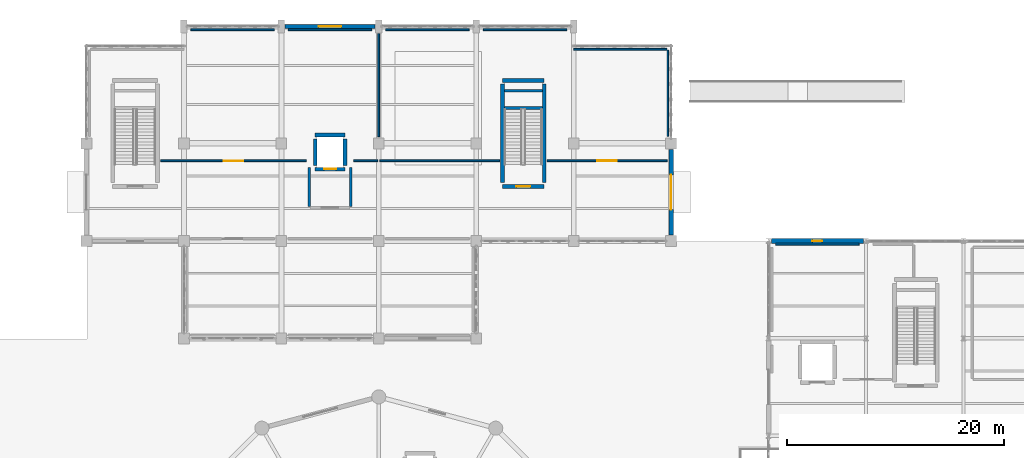
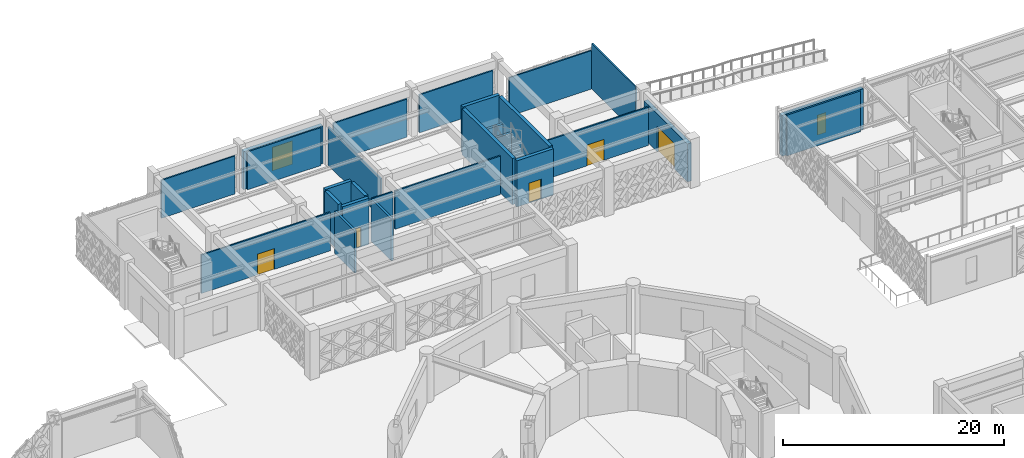
# One storey, part 120 of 140: 27 walls, 5 doors, 2 windows, 7 openings.
"""IFC4 building model written with IfcOpenShell, lengths in metres."""

import ifcopenshell
import ifcopenshell.guid

model = None  # the IFC model being written
_history = None  # IfcOwnerHistory: only IFC2X3 demands one
_inside = {}  # id of a spatial element -> (the spatial element, [elements in it])
_under = {}  # id of a project, library or spatial element -> (it, [spatial elements below it])
_declared = {}  # id of a project -> (the project, [libraries it declares])
_typed = {}  # id of a type object -> (the type object, [elements of that type])
_made_of = {}  # id of a material, layer set ... -> (it, [elements and type objects made of it])


def new_model(schema):
    """Start an empty IFC model of exactly this schema.

    Asked for "IFC4X3", IfcOpenShell would pick the latest addendum, in which some entities
    have other attributes; the version numbers below select the first issue.
    IFC2X3 requires an IfcOwnerHistory on every rooted entity: one is made here for all.
    """
    global model, _history
    if schema == "IFC4X3":
        model = ifcopenshell.file(schema_version=(4, 3, 0, 0))
    else:
        model = ifcopenshell.file(schema=schema)
    _inside.clear()
    _under.clear()
    _declared.clear()
    _typed.clear()
    _made_of.clear()
    _history = None
    if model.schema == "IFC2X3":
        org = make("IfcOrganization", Name="unknown")
        user = make(
            "IfcPersonAndOrganization",
            ThePerson=make("IfcPerson", FamilyName="unknown"),
            TheOrganization=org,
        )
        app = make(
            "IfcApplication",
            ApplicationDeveloper=org,
            Version="unknown",
            ApplicationFullName="unknown",
            ApplicationIdentifier="unknown",
        )
        _history = make(
            "IfcOwnerHistory",
            OwningUser=user,
            OwningApplication=app,
            ChangeAction="ADDED",
            CreationDate=0,
        )
    return model


def make(cls, **values):
    """One entity of the class cls with the attributes given. An attribute that is None is left unset."""
    return model.create_entity(
        cls, **{name: value for name, value in values.items() if value is not None}
    )


def rooted(cls, **values):
    """An entity with a GlobalId (a new one), such as an element, a storey or a relation."""
    return make(cls, GlobalId=ifcopenshell.guid.new(), OwnerHistory=_history, **values)


def si_unit(unit_type, name, prefix=None):
    """IfcSIUnit, for example si_unit("LENGTHUNIT", "METRE", prefix="MILLI")."""
    return make("IfcSIUnit", UnitType=unit_type, Prefix=prefix, Name=name)


def assignment(units):
    """IfcUnitAssignment: the units of a project."""
    return None if units is None else make("IfcUnitAssignment", Units=units)


def point(xyz):
    """IfcCartesianPoint."""
    return None if xyz is None else make("IfcCartesianPoint", Coordinates=xyz)


def direction(xyz):
    """IfcDirection."""
    return None if xyz is None else make("IfcDirection", DirectionRatios=xyz)


def frame(location, z_axis=None, x_axis=None):
    """IfcAxis2Placement3D, a coordinate frame: its origin and axes. An axis left out is left unset."""
    return make(
        "IfcAxis2Placement3D",
        Location=point(location),
        Axis=direction(z_axis),
        RefDirection=direction(x_axis),
    )


def frame_2d(location, x_axis=None):
    """IfcAxis2Placement2D, a coordinate frame in the plane: its origin and x axis."""
    return make(
        "IfcAxis2Placement2D", Location=point(location), RefDirection=direction(x_axis)
    )


def origin():
    """The frame at (0, 0, 0) with its axes left unset."""
    return frame((0.0, 0.0, 0.0))


def place(relative_to, where):
    """IfcLocalPlacement: puts the frame where relative to a parent placement (None: the world)."""
    return make(
        "IfcLocalPlacement", PlacementRelTo=relative_to, RelativePlacement=where
    )


def context(
    kind, dimensions, precision=None, world=None, true_north=None, identifier=None
):
    """IfcGeometricRepresentationContext, for example the 3D "Model" context."""
    return make(
        "IfcGeometricRepresentationContext",
        ContextIdentifier=identifier,
        ContextType=kind,
        CoordinateSpaceDimension=dimensions,
        Precision=precision,
        WorldCoordinateSystem=world,
        TrueNorth=true_north,
    )


def subcontext(parent, identifier, kind, view, scale=None):
    """IfcGeometricRepresentationSubContext, for example "Body" below "Model"."""
    return make(
        "IfcGeometricRepresentationSubContext",
        ContextIdentifier=identifier,
        ContextType=kind,
        ParentContext=parent,
        TargetScale=scale,
        TargetView=view,
    )


def project(units=None, contexts=None):
    """IfcProject with its units and contexts."""
    return rooted(
        "IfcProject",
        Name="project",
        RepresentationContexts=contexts,
        UnitsInContext=assignment(units),
    )


def spatial(cls, under=None, at=None, **own):
    """A site, building, storey or space (cls), placed at a placement, below another one or the project."""
    s = rooted(cls, ObjectPlacement=at, **own)
    if under is not None:
        _under.setdefault(under.id(), (under, []))[1].append(s)
    return s


def profile(cls, at=None, kind="AREA", **sizes):
    """A parametric profile (cls). Its sizes go by their IFC names, for example OverallWidth=200.0."""
    return make(cls, ProfileType=kind, Position=at, **sizes)


def rectangle(**sizes):
    """IfcRectangleProfileDef."""
    return profile("IfcRectangleProfileDef", **sizes)


def extrude(swept, where, along, depth):
    """IfcExtrudedAreaSolid: the profile swept, set in the frame where, extruded along a direction by depth."""
    return make(
        "IfcExtrudedAreaSolid",
        SweptArea=swept,
        Position=where,
        ExtrudedDirection=direction(along),
        Depth=depth,
    )


def shape(context_of_items, identifier, shape_type, items):
    """IfcShapeRepresentation: the items that make up one representation, for example the "Body"."""
    return make(
        "IfcShapeRepresentation",
        ContextOfItems=context_of_items,
        RepresentationIdentifier=identifier,
        RepresentationType=shape_type,
        Items=items,
    )


def material(Name=None, Category=None):
    """IfcMaterial."""
    return make("IfcMaterial", Name=Name, Category=Category)


def layer(
    of_material, thickness, ventilated=None, Name=None, Category=None, Priority=None
):
    """IfcMaterialLayer: one layer of a wall or slab, of a material (None: an air gap)."""
    return make(
        "IfcMaterialLayer",
        Material=of_material,
        LayerThickness=thickness,
        IsVentilated=ventilated,
        Name=Name,
        Category=Category,
        Priority=Priority,
    )


def layer_set(layers, Name=None):
    """IfcMaterialLayerSet."""
    return make("IfcMaterialLayerSet", MaterialLayers=layers, LayerSetName=Name)


def made_of(thing, what):
    """Note that an element or type object is made of a material, layer set ...; save() writes the relation."""
    if what is not None:
        _made_of.setdefault(what.id(), (what, []))[1].append(thing)
    return thing


def type_object(cls, material=None, **own):
    """A type object (cls), such as IfcWallType, which elements share."""
    return made_of(rooted(cls, **own), material)


def element(
    cls,
    number,
    at=None,
    inside=None,
    cuts=None,
    type_object=None,
    material=None,
    context=None,
    identifier="Body",
    shape_type=None,
    held_by="IfcProductDefinitionShape",
    body=None,
    shapes=None,
    **own,
):
    """One element of the class cls, such as IfcWall. Its Tag is "e" and its number.

    at: its placement. inside: the storey or other place that contains it. cuts: it is an
    opening in that element (IfcRelVoidsElement). A single representation is given by context,
    identifier, shape_type and body (its items); several are given by shapes. held_by: the class
    of the entity that holds the representations. save() writes the other relations.
    """
    e = rooted(cls, Tag="e%d" % number, ObjectPlacement=at, **own)
    if body is not None:
        shapes = [shape(context, identifier, shape_type, body)]
    if shapes is not None:
        e.Representation = make(held_by, Representations=shapes)
    if inside is not None:
        _inside.setdefault(inside.id(), (inside, []))[1].append(e)
    if cuts is not None:
        rooted(
            "IfcRelVoidsElement", RelatingBuildingElement=cuts, RelatedOpeningElement=e
        )
    if type_object is not None:
        _typed.setdefault(type_object.id(), (type_object, []))[1].append(e)
    return made_of(e, material)


def fill(opening, filler):
    """IfcRelFillsElement: the door or window that sits in an opening."""
    return rooted(
        "IfcRelFillsElement",
        RelatingOpeningElement=opening,
        RelatedBuildingElement=filler,
    )


def aggregate(whole, parts):
    """IfcRelAggregates: a whole, such as a stair, and the parts it consists of."""
    return rooted("IfcRelAggregates", RelatingObject=whole, RelatedObjects=parts)


def save(model, path):
    """Write the relations noted so far, then the file.

    IfcRelAggregates (storeys below a building ...), IfcRelContainedInSpatialStructure (elements
    in a storey), IfcRelDefinesByType, IfcRelAssociatesMaterial and IfcRelDeclares: one each for
    every whole, place, type object, material and project.
    """
    for whole, parts in _under.values():
        aggregate(whole, parts)
    for where, things in _inside.values():
        rooted(
            "IfcRelContainedInSpatialStructure",
            RelatedElements=things,
            RelatingStructure=where,
        )
    for kind, things in _typed.values():
        rooted("IfcRelDefinesByType", RelatedObjects=things, RelatingType=kind)
    for what, things in _made_of.values():
        rooted("IfcRelAssociatesMaterial", RelatedObjects=things, RelatingMaterial=what)
    for by, libraries in _declared.values():
        rooted("IfcRelDeclares", RelatingContext=by, RelatedDefinitions=libraries)
    model.write(path)


model = new_model("IFC4")

# Units and contexts
model_context = context("Model", 3, precision=1e-05, world=origin(), true_north=direction((0.0, 1.0)))
body_context = subcontext(model_context, "Body", "Model", "MODEL_VIEW")
ifc_project = project(units=[si_unit("LENGTHUNIT", "METRE"), si_unit("AREAUNIT", "SQUARE_METRE"), si_unit("VOLUMEUNIT", "CUBIC_METRE"), si_unit("PLANEANGLEUNIT", "RADIAN"), si_unit("MASSUNIT", "GRAM", prefix="KILO")], contexts=[model_context])

# Site, building, storey
site_placement = place(None, origin())
site = spatial("IfcSite", under=ifc_project, at=site_placement, CompositionType="ELEMENT")
building_placement = place(site_placement, origin())
building = spatial("IfcBuilding", under=site, at=building_placement, Name="Haizhuo Lancet Aquarium", CompositionType="ELEMENT")
storey_placement = place(building_placement, origin())
storey = spatial("IfcBuildingStorey", under=building, at=storey_placement, Name="L00", CompositionType="ELEMENT", Elevation=0.0)

# Wall, opening, window
ifc_material_1 = material(Name="Shandong Grey Limestone Ashlar", Category="masonry")
ifc_layer_1 = layer(ifc_material_1, 0.39990234375)
ifc_layer_set_1 = layer_set([ifc_layer_1], Name="Shandong Grey Limestone Ashlar")
wall_type_1 = type_object("IfcWallType", Name="EWL-ASH-400", PredefinedType="SOLIDWALL", material=ifc_layer_set_1)
wall_1_placement = place(storey_placement, frame((-8.655029296875, 55.800048828125, 0.0), z_axis=(0.0, 0.0, 1.0), x_axis=(1.0, 0.0, 0.0)))
wall_1 = element("IfcWall", 1, at=wall_1_placement, inside=storey, type_object=wall_type_1, Name="L00 V5 limestone facade wall 87", PredefinedType="SOLIDWALL", context=body_context, shape_type="SweptSolid", body=[
    extrude(rectangle(XDim=8.31005859375, YDim=0.39990234375, at=frame_2d((4.155029296875, 0.0))), origin(), (0.0, 0.0, 1.0), 4.205078125),
])
opening_1_placement = place(wall_1_placement, frame((3.10498046875, 0.0, 0.89990234375)))
opening_1 = element("IfcOpeningElement", 2, at=opening_1_placement, cuts=wall_1, Name="Opening WN-07", PredefinedType="OPENING", context=body_context, shape_type="SweptSolid", body=[
    extrude(rectangle(XDim=2.10009765625, YDim=2.60009765625, at=frame_2d((1.050048828125, 1.300048828125))), frame((0.0, 0.2099609375, 0.0), z_axis=(0.0, -1.0, 0.0), x_axis=(1.0, 0.0, 0.0)), (0.0, 0.0, 1.0), 0.419902),
])
ifc_material_2 = material(Name="Laminated Low-E Glass", Category="glass")
window_type_1 = type_object("IfcWindowType", Name="WIN-LAN-2100x2600", PartitioningType="SINGLE_PANEL", PredefinedType="WINDOW", material=ifc_material_2)
window_1_placement = place(opening_1_placement, origin())
window_1 = element("IfcWindow", 3, at=window_1_placement, inside=storey, type_object=window_type_1, Name="L00 V5 lancet window 66", OverallHeight=2.60009765625, OverallWidth=2.10009765625, PartitioningType="SINGLE_PANEL", PredefinedType="WINDOW", context=body_context, shape_type="SweptSolid", body=[
    extrude(rectangle(XDim=2.10009765625, YDim=2.60009765625, at=frame_2d((1.050048828125, 1.300048828125))), frame((0.0, 0.030029296875, 0.0), z_axis=(0.0, -1.0, 0.0), x_axis=(1.0, 0.0, 0.0)), (0.0, 0.0, 1.0), 0.06005859375),
])
fill(opening_1, window_1)

# Wall, opening, door
wall_2_placement = place(storey_placement, frame((27.0, 44.455078125, 0.0), z_axis=(0.0, 0.0, 1.0), x_axis=(0.0, -1.0, 0.0)))
wall_2 = element("IfcWall", 4, at=wall_2_placement, inside=storey, type_object=wall_type_1, Name="L00 V5 pointed-arch limestone entrance portal wall", PredefinedType="SOLIDWALL", context=body_context, shape_type="SweptSolid", body=[
    extrude(rectangle(XDim=7.91015625, YDim=0.39990234375, at=frame_2d((3.955078125, 0.0))), origin(), (0.0, 0.0, 1.0), 4.205078125),
])
opening_2_placement = place(wall_2_placement, frame((2.35498046875, 0.0, 0.0)))
opening_2 = element("IfcOpeningElement", 5, at=opening_2_placement, cuts=wall_2, Name="Opening ED-B", PredefinedType="OPENING", context=body_context, shape_type="SweptSolid", body=[
    extrude(rectangle(XDim=3.199951171875, YDim=2.800048828125, at=frame_2d((1.60009765625, 1.39990234375))), frame((0.0, 0.2099609375, 0.0), z_axis=(0.0, -1.0, 0.0), x_axis=(1.0, 0.0, 0.0)), (0.0, 0.0, 1.0), 0.419902),
])
ifc_material_3 = material(Name="Aluminium 6063-T6", Category="aluminium")
door_type_1 = type_object("IfcDoorType", Name="EDR-PORTAL-3200x2800", OperationType="NOTDEFINED", PredefinedType="DOOR", material=ifc_material_3)
door_1_placement = place(opening_2_placement, origin())
door_1 = element("IfcDoor", 6, at=door_1_placement, inside=storey, type_object=door_type_1, Name="Ground pedestrian entrance portal ED-18", OperationType="DOUBLE_DOOR_SINGLE_SWING", OverallHeight=2.800048828125, OverallWidth=3.199951171875, PredefinedType="DOOR", context=body_context, shape_type="SweptSolid", body=[
    extrude(rectangle(XDim=3.199951171875, YDim=2.800048828125, at=frame_2d((1.60009765625, 1.39990234375))), frame((0.0, 0.02490234375, 0.0), z_axis=(0.0, -1.0, 0.0), x_axis=(1.0, 0.0, 0.0)), (0.0, 0.0, 1.0), 0.050048828125),
])
fill(opening_2, door_1)

# Wall, opening, window
ifc_layer_2 = layer(ifc_material_1, 0.449951171875)
ifc_layer_set_2 = layer_set([ifc_layer_2], Name="Shandong Grey Limestone Ashlar")
wall_type_2 = type_object("IfcWallType", Name="EWL-ASH-450", PredefinedType="SOLIDWALL", material=ifc_layer_set_2)
wall_3_placement = place(storey_placement, frame((36.2451171875, 36.0, 0.0), z_axis=(0.0, 0.0, 1.0), x_axis=(1.0, 0.0, 0.0)))
wall_3 = element("IfcWall", 7, at=wall_3_placement, inside=storey, type_object=wall_type_2, Name="L00 V7 limestone facade wall 106", PredefinedType="SOLIDWALL", context=body_context, shape_type="SweptSolid", body=[
    extrude(rectangle(XDim=8.509765625, YDim=0.449951171875, at=frame_2d((4.2548828125, 0.0))), origin(), (0.0, 0.0, 1.0), 4.51708984375),
])
opening_3_placement = place(wall_3_placement, frame((3.804931640625, 0.0, 0.89990234375)))
opening_3 = element("IfcOpeningElement", 8, at=opening_3_placement, cuts=wall_3, Name="Opening WN-11", PredefinedType="OPENING", context=body_context, shape_type="SweptSolid", body=[
    extrude(rectangle(XDim=0.89990234375, YDim=2.199951171875, at=frame_2d((0.449951171875, 1.10009765625))), frame((0.0, 0.23486328125, 0.0), z_axis=(0.0, -1.0, 0.0), x_axis=(1.0, 0.0, 0.0)), (0.0, 0.0, 1.0), 0.469951),
])
window_type_2 = type_object("IfcWindowType", Name="WIN-LAN-900x2200", PartitioningType="SINGLE_PANEL", PredefinedType="WINDOW", material=ifc_material_2)
window_2_placement = place(opening_3_placement, origin())
window_2 = element("IfcWindow", 9, at=window_2_placement, inside=storey, type_object=window_type_2, Name="L00 V7 lancet window 81", OverallHeight=2.199951171875, OverallWidth=0.89990234375, PartitioningType="SINGLE_PANEL", PredefinedType="WINDOW", context=body_context, shape_type="SweptSolid", body=[
    extrude(rectangle(XDim=0.89990234375, YDim=2.199951171875, at=frame_2d((0.449951171875, 1.10009765625))), frame((0.0, 0.030029296875, 0.0), z_axis=(0.0, -1.0, 0.0), x_axis=(1.0, 0.0, 0.0)), (0.0, 0.0, 1.0), 0.06005859375),
])
fill(opening_3, window_2)

# Walls
ifc_material_4 = material(Name="Concrete C40/50", Category="concrete")
ifc_layer_3 = layer(ifc_material_4, 0.239990234375)
ifc_layer_set_3 = layer_set([ifc_layer_3], Name="Concrete C40/50")
wall_type_3 = type_object("IfcWallType", Name="IWL-FIRE-240", PredefinedType="PARTITIONING", material=ifc_layer_set_3)
for number, where, z_axis, x_axis, name in (
    (10, (-6.419921875, 39.199951171875, 0.0), (0.0, 0.0, 1.0), (0.0, 1.0, 0.0), "L00 LF-02 protected lift lobby firewall W"),
    (11, (-2.580078125, 39.199951171875, 0.0), (0.0, 0.0, 1.0), (0.0, 1.0, 0.0), "L00 LF-02 protected lift lobby firewall E"),
):
    element("IfcWall", number, at=place(storey_placement, frame(where, z_axis=z_axis, x_axis=x_axis)), inside=storey, type_object=wall_type_3, Name=name, PredefinedType="PARTITIONING", context=body_context, shape_type="SweptSolid", body=[
        extrude(rectangle(XDim=3.60009765625, YDim=0.239990234375, at=frame_2d((1.800048828125, 0.0))), origin(), (0.0, 0.0, 1.0), 4.655029296875),
    ])
ifc_layer_4 = layer(ifc_material_4, 0.179931640625)
ifc_layer_set_4 = layer_set([ifc_layer_4], Name="Concrete C40/50")
wall_type_4 = type_object("IfcWallType", Name="IWL-LAB-180", PredefinedType="PARTITIONING", material=ifc_layer_set_4)
wall_4_placement = place(storey_placement, frame((44.35009765625, 35.699951171875, 0.0), z_axis=(0.0, 0.0, 1.0), x_axis=(-1.0, 0.0, 0.0)))
element("IfcWall", 12, at=wall_4_placement, inside=storey, type_object=wall_type_4, Name="L00 partition wall 203", PredefinedType="PARTITIONING", context=body_context, shape_type="SweptSolid", body=[
    extrude(rectangle(XDim=7.7001953125, YDim=0.179931640625, at=frame_2d((3.85009765625, 0.0))), origin(), (0.0, 0.0, 1.0), 4.51708984375),
])

# Wall, opening, door
ifc_material_5 = material(Name="Gypsum Fireboard Partition")
ifc_layer_5 = layer(ifc_material_5, 0.14990234375)
ifc_layer_set_5 = layer_set([ifc_layer_5], Name="Gypsum Fireboard Partition")
wall_type_5 = type_object("IfcWallType", Name="IWL-STD-150", PredefinedType="PARTITIONING", material=ifc_layer_set_5)
wall_5_placement = place(storey_placement, frame((-20.14990234375, 43.39990234375, 0.0), z_axis=(0.0, 0.0, 1.0), x_axis=(1.0, 0.0, 0.0)))
wall_5 = element("IfcWall", 13, at=wall_5_placement, inside=storey, type_object=wall_type_5, Name="L00 partition wall 155", PredefinedType="PARTITIONING", context=body_context, shape_type="SweptSolid", body=[
    extrude(rectangle(XDim=13.474853515625, YDim=0.14990234375, at=frame_2d((6.7373046875, 0.0))), origin(), (0.0, 0.0, 1.0), 4.2548828125),
])
opening_4_placement = place(wall_5_placement, frame((5.8369140625, 0.0, 0.0)))
opening_4 = element("IfcOpeningElement", 14, at=opening_4_placement, cuts=wall_5, Name="Opening D-02", PredefinedType="OPENING", context=body_context, shape_type="SweptSolid", body=[
    extrude(rectangle(XDim=1.800048828125, YDim=2.300048828125, at=frame_2d((0.89990234375, 1.14990234375))), frame((0.0, 0.0849609375, 0.0), z_axis=(0.0, -1.0, 0.0), x_axis=(1.0, 0.0, 0.0)), (0.0, 0.0, 1.0), 0.169902),
])
door_type_2 = type_object("IfcDoorType", Name="IDR-GAL-1800x2300", OperationType="NOTDEFINED", PredefinedType="DOOR", material=ifc_material_3)
door_2_placement = place(opening_4_placement, origin())
door_2 = element("IfcDoor", 15, at=door_2_placement, inside=storey, type_object=door_type_2, Name="L00 Bohai Estuarine Exhibit Gallery door", OperationType="DOUBLE_DOOR_SINGLE_SWING", OverallHeight=2.300048828125, OverallWidth=1.800048828125, PredefinedType="DOOR", context=body_context, shape_type="SweptSolid", body=[
    extrude(rectangle(XDim=1.800048828125, YDim=2.300048828125, at=frame_2d((0.89990234375, 1.14990234375))), frame((0.0, 0.02490234375, 0.0), z_axis=(0.0, -1.0, 0.0), x_axis=(1.0, 0.0, 0.0)), (0.0, 0.0, 1.0), 0.050048828125),
])
fill(opening_4, door_2)

# Walls
wall_6_placement = place(storey_placement, frame((-2.324951171875, 43.39990234375, 0.0), z_axis=(0.0, 0.0, 1.0), x_axis=(1.0, 0.0, 0.0)))
element("IfcWall", 16, at=wall_6_placement, inside=storey, type_object=wall_type_5, Name="L00 partition wall 156", PredefinedType="PARTITIONING", context=body_context, shape_type="SweptSolid", body=[
    extrude(rectangle(XDim=2.224853515625, YDim=0.14990234375, at=frame_2d((1.1123046875, 0.0))), origin(), (0.0, 0.0, 1.0), 4.2548828125),
])
wall_7_placement = place(storey_placement, frame((0.0, 45.639892578125, 0.0), z_axis=(0.0, 0.0, 1.0), x_axis=(0.0, 1.0, 0.0)))
element("IfcWall", 17, at=wall_7_placement, inside=storey, type_object=wall_type_5, Name="L00 partition wall 157", PredefinedType="PARTITIONING", context=body_context, shape_type="SweptSolid", body=[
    extrude(rectangle(XDim=9.510009765625, YDim=0.14990234375, at=frame_2d((4.7548828125, 0.0))), origin(), (0.0, 0.0, 1.0), 4.2548828125),
])
wall_8_placement = place(storey_placement, frame((-0.64990234375, 55.5, 0.0), z_axis=(0.0, 0.0, 1.0), x_axis=(-1.0, 0.0, 0.0)))
element("IfcWall", 18, at=wall_8_placement, inside=storey, type_object=wall_type_5, Name="L00 partition wall 158", PredefinedType="PARTITIONING", context=body_context, shape_type="SweptSolid", body=[
    extrude(rectangle(XDim=7.7001953125, YDim=0.14990234375, at=frame_2d((3.85009765625, 0.0))), origin(), (0.0, 0.0, 1.0), 4.205078125),
])
wall_9_placement = place(storey_placement, frame((-9.64990234375, 55.5, 0.0), z_axis=(0.0, 0.0, 1.0), x_axis=(-1.0, 0.0, 0.0)))
element("IfcWall", 19, at=wall_9_placement, inside=storey, type_object=wall_type_5, Name="L00 partition wall 159", PredefinedType="PARTITIONING", context=body_context, shape_type="SweptSolid", body=[
    extrude(rectangle(XDim=7.710205078125, YDim=0.14990234375, at=frame_2d((3.85498046875, 0.0))), origin(), (0.0, 0.0, 1.0), 4.205078125),
])
wall_10_placement = place(storey_placement, frame((0.10009765625, 43.39990234375, 0.0), z_axis=(0.0, 0.0, 1.0), x_axis=(1.0, 0.0, 0.0)))
element("IfcWall", 20, at=wall_10_placement, inside=storey, type_object=wall_type_5, Name="L00 partition wall 162", PredefinedType="PARTITIONING", context=body_context, shape_type="SweptSolid", body=[
    extrude(rectangle(XDim=11.0498046875, YDim=0.14990234375, at=frame_2d((5.52490234375, 0.0))), origin(), (0.0, 0.0, 1.0), 4.2548828125),
])

# Wall, opening, door
wall_11_placement = place(storey_placement, frame((15.550048828125, 43.39990234375, 0.0), z_axis=(0.0, 0.0, 1.0), x_axis=(0.999999929829, 0.000374622597, 0.0)))
wall_11 = element("IfcWall", 21, at=wall_11_placement, inside=storey, type_object=wall_type_5, Name="L00 partition wall 163", PredefinedType="PARTITIONING", context=body_context, shape_type="SweptSolid", body=[
    extrude(rectangle(XDim=11.078857421875, YDim=0.14990234375, at=frame_2d((5.53955078125, 0.0))), origin(), (0.0, 0.0, 1.0), 4.2548828125),
])
opening_5_placement = place(wall_11_placement, frame((4.639892578125, 0.0, 0.0)))
opening_5 = element("IfcOpeningElement", 22, at=opening_5_placement, cuts=wall_11, Name="Opening D-02", PredefinedType="OPENING", context=body_context, shape_type="SweptSolid", body=[
    extrude(rectangle(XDim=1.800048828125, YDim=2.300048828125, at=frame_2d((0.89990234375, 1.14990234375))), frame((0.0, 0.0849609375, 0.0), z_axis=(0.0, -1.0, 0.0), x_axis=(1.0, 0.0, 0.0)), (0.0, 0.0, 1.0), 0.169902),
])
door_3_placement = place(opening_5_placement, origin())
door_3 = element("IfcDoor", 23, at=door_3_placement, inside=storey, type_object=door_type_2, Name="L00 Tidal Touch Pool Exhibit Gallery door", OperationType="DOUBLE_DOOR_SINGLE_SWING", OverallHeight=2.300048828125, OverallWidth=1.800048828125, PredefinedType="DOOR", context=body_context, shape_type="SweptSolid", body=[
    extrude(rectangle(XDim=1.800048828125, YDim=2.300048828125, at=frame_2d((0.89990234375, 1.14990234375))), frame((0.0, 0.02490234375, 0.0), z_axis=(0.0, -1.0, 0.0), x_axis=(1.0, 0.0, 0.0)), (0.0, 0.0, 1.0), 0.050048828125),
])
fill(opening_5, door_3)

# Walls
wall_12_placement = place(storey_placement, frame((26.699951171875, 45.64990234375, 0.0), z_axis=(0.0, 0.0, 1.0), x_axis=(-0.000489566063, 0.999999880163, 0.0)))
element("IfcWall", 24, at=wall_12_placement, inside=storey, type_object=wall_type_5, Name="L00 partition wall 164", PredefinedType="PARTITIONING", context=body_context, shape_type="SweptSolid", body=[
    extrude(rectangle(XDim=7.97900390625, YDim=0.14990234375, at=frame_2d((3.989501953125, 0.0))), origin(), (0.0, 0.0, 1.0), 5.050048828125),
])
wall_13_placement = place(storey_placement, frame((26.60009765625, 53.699951171875, 0.0), z_axis=(0.0, 0.0, 1.0), x_axis=(-1.0, 0.0, 0.0)))
element("IfcWall", 25, at=wall_13_placement, inside=storey, type_object=wall_type_5, Name="L00 partition wall 165", PredefinedType="PARTITIONING", context=body_context, shape_type="SweptSolid", body=[
    extrude(rectangle(XDim=8.59912109375, YDim=0.14990234375, at=frame_2d((4.299560546875, 0.0))), origin(), (0.0, 0.0, 1.0), 4.2548828125),
])
for number, where, z_axis, x_axis, name in (
    (26, (17.360107421875, 55.5, 0.0), (0.0, 0.0, 1.0), (-1.0, 0.0, 0.0), "L00 partition wall 166"),
    (27, (8.35009765625, 55.5, 0.0), (0.0, 0.0, 1.0), (-0.999999871661, -0.00050663367, 0.0), "L00 partition wall 167"),
):
    element("IfcWall", number, at=place(storey_placement, frame(where, z_axis=z_axis, x_axis=x_axis)), inside=storey, type_object=wall_type_5, Name=name, PredefinedType="PARTITIONING", context=body_context, shape_type="SweptSolid", body=[
        extrude(rectangle(XDim=7.710205078125, YDim=0.14990234375, at=frame_2d((3.85498046875, 0.0))), origin(), (0.0, 0.0, 1.0), 4.205078125),
    ])
ifc_layer_6 = layer(ifc_material_4, 0.35009765625)
ifc_layer_set_6 = layer_set([ifc_layer_6], Name="Concrete C40/50")
wall_type_6 = type_object("IfcWallType", Name="WL-CORE-350", PredefinedType="SHEAR", material=ifc_layer_set_6)
for number, where, z_axis, x_axis, name in (
    (28, (11.60009765625, 48.27490234375, 0.0), (0.0, 0.0, 1.0), (1.0, 0.0, 0.0), "L00 ST-08 landing support wall"),
    (29, (11.60009765625, 49.875, 0.0), (0.0, 0.0, 1.0), (1.0, 0.0, 0.0), "L00 ST-08 far landing support wall"),
):
    element("IfcWall", number, at=place(storey_placement, frame(where, z_axis=z_axis, x_axis=x_axis)), inside=storey, type_object=wall_type_6, Name=name, PredefinedType="SHEAR", context=body_context, shape_type="SweptSolid", body=[
        extrude(rectangle(XDim=3.5, YDim=0.25, at=frame_2d((1.75, 0.0))), origin(), (0.0, 0.0, 1.0), 2.5),
    ])

# Wall, opening, door
wall_14_placement = place(storey_placement, frame((15.27490234375, 41.02490234375, 0.0), z_axis=(0.0, 0.0, 1.0), x_axis=(-1.0, 0.0, 0.0)))
wall_14 = element("IfcWall", 30, at=wall_14_placement, inside=storey, type_object=wall_type_6, Name="L00 ST-08 core shear wall S", PredefinedType="SHEAR", context=body_context, shape_type="SweptSolid", body=[
    extrude(rectangle(XDim=3.849853515625, YDim=0.35009765625, at=frame_2d((1.9248046875, 0.0))), origin(), (0.0, 0.0, 1.0), 5.1201171875),
])
opening_6_placement = place(wall_14_placement, frame((1.27490234375, 0.0, 0.0)))
opening_6 = element("IfcOpeningElement", 31, at=opening_6_placement, cuts=wall_14, Name="Opening FD-02", PredefinedType="OPENING", context=body_context, shape_type="SweptSolid", body=[
    extrude(rectangle(XDim=1.300048828125, YDim=2.199951171875, at=frame_2d((0.64990234375, 1.10009765625))), frame((0.0, 0.18505859375, 0.0), z_axis=(0.0, -1.0, 0.0), x_axis=(1.0, 0.0, 0.0)), (0.0, 0.0, 1.0), 0.370098),
])
ifc_material_6 = material(Name="Steel S355", Category="steel")
door_type_3 = type_object("IfcDoorType", Name="IDR-STAIR-1300x2200", OperationType="NOTDEFINED", PredefinedType="DOOR", material=ifc_material_6)
door_4_placement = place(opening_6_placement, origin())
door_4 = element("IfcDoor", 32, at=door_4_placement, inside=storey, type_object=door_type_3, Name="L00 ST-08 stairwell fire door", OperationType="SINGLE_SWING_RIGHT", OverallHeight=2.199951171875, OverallWidth=1.300048828125, PredefinedType="DOOR", context=body_context, shape_type="SweptSolid", body=[
    extrude(rectangle(XDim=1.300048828125, YDim=2.199951171875, at=frame_2d((0.64990234375, 1.10009765625))), frame((0.0, 0.02490234375, 0.0), z_axis=(0.0, -1.0, 0.0), x_axis=(1.0, 0.0, 0.0)), (0.0, 0.0, 1.0), 0.050048828125),
])
fill(opening_6, door_4)

# Walls
wall_15_placement = place(storey_placement, frame((11.425048828125, 50.824951171875, 0.0), z_axis=(0.0, 0.0, 1.0), x_axis=(1.0, 0.0, 0.0)))
element("IfcWall", 33, at=wall_15_placement, inside=storey, type_object=wall_type_6, Name="L00 ST-08 core shear wall N", PredefinedType="SHEAR", context=body_context, shape_type="SweptSolid", body=[
    extrude(rectangle(XDim=3.849853515625, YDim=0.35009765625, at=frame_2d((1.9248046875, 0.0))), origin(), (0.0, 0.0, 1.0), 5.1201171875),
])
for number, where, z_axis, x_axis, name in (
    (34, (11.425048828125, 41.375, 0.0), (0.0, 0.0, 1.0), (0.0, 1.0, 0.0), "L00 ST-08 core shear wall W"),
    (35, (15.27490234375, 41.375, 0.0), (0.0, 0.0, 1.0), (0.0, 1.0, 0.0), "L00 ST-08 core shear wall E"),
):
    element("IfcWall", number, at=place(storey_placement, frame(where, z_axis=z_axis, x_axis=x_axis)), inside=storey, type_object=wall_type_6, Name=name, PredefinedType="SHEAR", context=body_context, shape_type="SweptSolid", body=[
        extrude(rectangle(XDim=9.10009765625, YDim=0.35009765625, at=frame_2d((4.550048828125, 0.0))), origin(), (0.0, 0.0, 1.0), 5.1201171875),
    ])

# Wall, opening, door
wall_16_placement = place(storey_placement, frame((-5.875, 42.625, 0.0), z_axis=(0.0, 0.0, 1.0), x_axis=(1.0, 0.0, 0.0)))
wall_16 = element("IfcWall", 36, at=wall_16_placement, inside=storey, type_object=wall_type_6, Name="L00 LF-02 lift shaft wall -Y", PredefinedType="SHEAR", context=body_context, shape_type="SweptSolid", body=[
    extrude(rectangle(XDim=2.75, YDim=0.35009765625, at=frame_2d((1.375, 0.0))), origin(), (0.0, 0.0, 1.0), 5.1201171875),
])
opening_7_placement = place(wall_16_placement, frame((0.824951171875, 0.0, 0.0)))
opening_7 = element("IfcOpeningElement", 37, at=opening_7_placement, cuts=wall_16, Name="Opening LD-01", PredefinedType="OPENING", context=body_context, shape_type="SweptSolid", body=[
    extrude(rectangle(XDim=1.10009765625, YDim=2.199951171875, at=frame_2d((0.550048828125, 1.10009765625))), frame((0.0, 0.18505859375, 0.0), z_axis=(0.0, -1.0, 0.0), x_axis=(1.0, 0.0, 0.0)), (0.0, 0.0, 1.0), 0.370098),
])
door_type_4 = type_object("IfcDoorType", Name="IDR-LIFT-1100x2200", OperationType="NOTDEFINED", PredefinedType="DOOR", material=ifc_material_6)
door_5_placement = place(opening_7_placement, origin())
door_5 = element("IfcDoor", 38, at=door_5_placement, inside=storey, type_object=door_type_4, Name="L00 LF-02 sliding lift landing door", OperationType="DOUBLE_DOOR_SLIDING", OverallHeight=2.199951171875, OverallWidth=1.10009765625, PredefinedType="DOOR", context=body_context, shape_type="SweptSolid", body=[
    extrude(rectangle(XDim=1.10009765625, YDim=2.199951171875, at=frame_2d((0.550048828125, 1.10009765625))), frame((0.0, 0.02490234375, 0.0), z_axis=(0.0, -1.0, 0.0), x_axis=(1.0, 0.0, 0.0)), (0.0, 0.0, 1.0), 0.050048828125),
])
fill(opening_7, door_5)

# Walls
wall_17_placement = place(storey_placement, frame((-3.125, 45.77490234375, 0.0), z_axis=(0.0, 0.0, 1.0), x_axis=(-1.0, 0.0, 0.0)))
element("IfcWall", 39, at=wall_17_placement, inside=storey, type_object=wall_type_6, Name="L00 LF-02 lift shaft wall +Y", PredefinedType="SHEAR", context=body_context, shape_type="SweptSolid", body=[
    extrude(rectangle(XDim=2.75, YDim=0.35009765625, at=frame_2d((1.375, 0.0))), origin(), (0.0, 0.0, 1.0), 5.1201171875),
])
for number, where, z_axis, x_axis, name in (
    (40, (-5.875, 42.97509765625, 0.0), (0.0, 0.0, 1.0), (0.0, 1.0, 0.0), "L00 LF-02 lift shaft wall -X"),
    (41, (-3.125, 42.97509765625, 0.0), (0.0, 0.0, 1.0), (0.0, 1.0, 0.0), "L00 LF-02 lift shaft wall +X"),
):
    element("IfcWall", number, at=place(storey_placement, frame(where, z_axis=z_axis, x_axis=x_axis)), inside=storey, type_object=wall_type_6, Name=name, PredefinedType="SHEAR", context=body_context, shape_type="SweptSolid", body=[
        extrude(rectangle(XDim=2.449951171875, YDim=0.35009765625, at=frame_2d((1.22509765625, 0.0))), origin(), (0.0, 0.0, 1.0), 5.1201171875),
    ])

save(model, "model.ifc")
